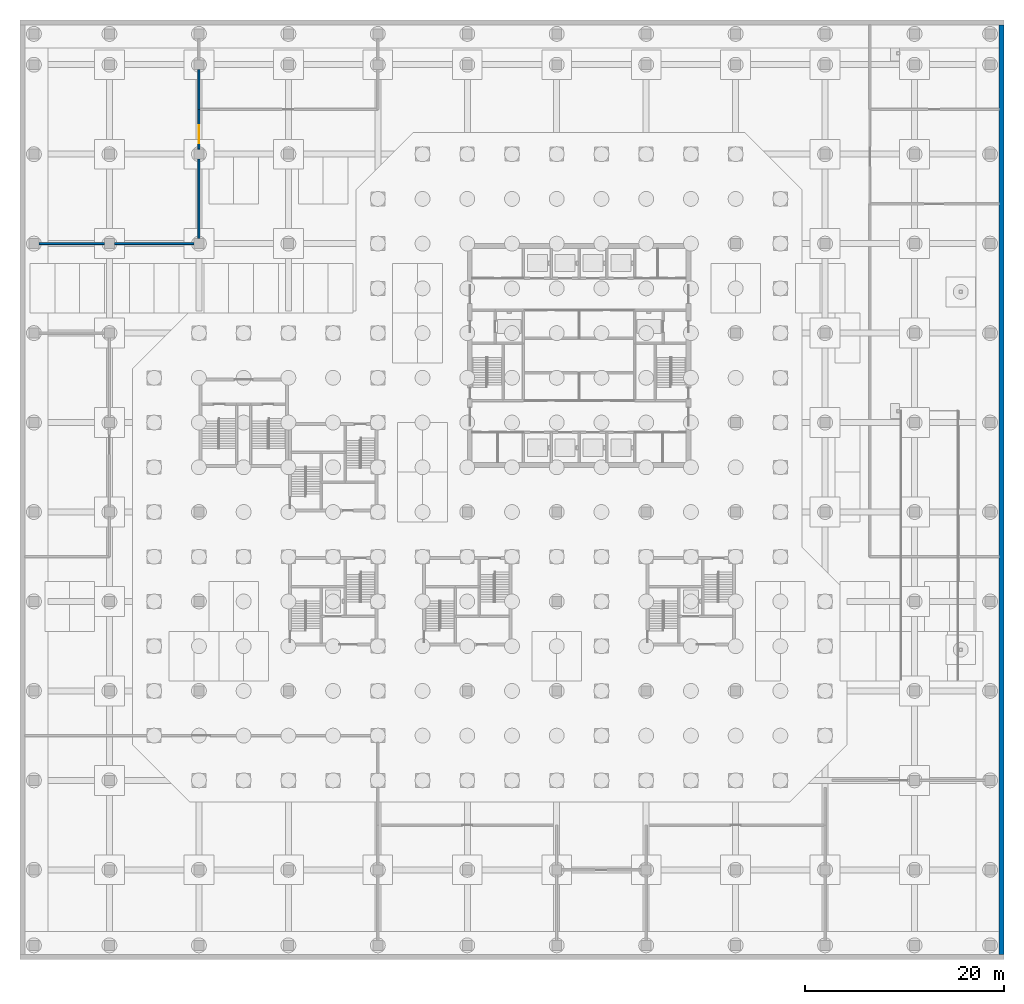
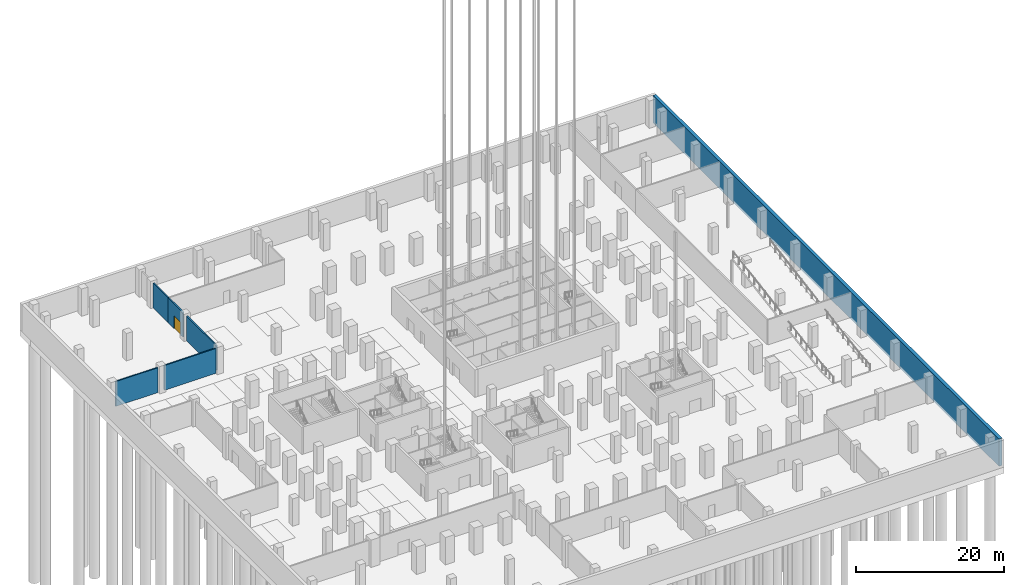
# One storey, part 17 of 37: 6 walls, 1 door, 1 opening.
"""IFC4 building model written with IfcOpenShell, lengths in metres."""

from ifc_helpers import new_model, si_unit, direction, frame, frame_2d, origin, place, context, subcontext, project, spatial, rectangle, extrude, material, layer, layer_set, type_object, element, fill, save


model = new_model("IFC4")

# Units and contexts
model_context = context("Model", 3, precision=1e-05, world=origin(), true_north=direction((0.0, 1.0)))
body_context = subcontext(model_context, "Body", "Model", "MODEL_VIEW")
ifc_project = project(units=[si_unit("LENGTHUNIT", "METRE"), si_unit("AREAUNIT", "SQUARE_METRE"), si_unit("VOLUMEUNIT", "CUBIC_METRE"), si_unit("PLANEANGLEUNIT", "RADIAN"), si_unit("MASSUNIT", "GRAM", prefix="KILO")], contexts=[model_context])

# Site, building, storey
site_placement = place(None, origin())
site = spatial("IfcSite", under=ifc_project, at=site_placement, CompositionType="ELEMENT")
building_placement = place(site_placement, origin())
building = spatial("IfcBuilding", under=site, at=building_placement, Name="Quoin Convention Tower", CompositionType="ELEMENT")
storey_placement = place(building_placement, frame((0.0, 0.0, -9.0)))
storey = spatial("IfcBuildingStorey", under=building, at=storey_placement, Name="B2", CompositionType="ELEMENT", Elevation=-9.0)

# Walls
ifc_material_1 = material(Name="Plasterboard")
ifc_layer_1 = layer(ifc_material_1, 0.012451171875, Name="Finish")
ifc_material_2 = material(Name="Steel stud framing", Category="steel")
ifc_layer_2 = layer(ifc_material_2, 0.175048828125, Name="Structure")
ifc_layer_3 = layer(ifc_material_1, 0.012451171875, Name="Finish")
ifc_layer_set_1 = layer_set([ifc_layer_1, ifc_layer_2, ifc_layer_3], Name="Steel stud framing")
wall_type_1 = type_object("IfcWallType", Name="Plant room wall 200", PredefinedType="PARTITIONING", material=ifc_layer_set_1)
wall_1_placement = place(storey_placement, frame((1.89990234375, 72.0, 0.0), z_axis=(0.0, 0.0, 1.0), x_axis=(1.0, 0.0, 0.0)))
element("IfcWall", 1, at=wall_1_placement, inside=storey, type_object=wall_type_1, Name="pw-B2-026", PredefinedType="PARTITIONING", context=body_context, shape_type="SweptSolid", body=[
    extrude(rectangle(XDim=6.60009765625, YDim=0.199951171875, at=frame_2d((3.300048828125, 0.0))), origin(), (0.0, 0.0, 1.0), 4.10009765625),
])
for number, where, z_axis, x_axis, name in (
    (2, (9.5, 72.0, 0.0), (0.0, 0.0, 1.0), (1.0, 0.0, 0.0), "pw-B2-027"),
    (3, (18.0, 72.5, 0.0), (0.0, 0.0, 1.0), (0.0, 1.0, 0.0), "pw-B2-028"),
):
    element("IfcWall", number, at=place(storey_placement, frame(where, z_axis=z_axis, x_axis=x_axis)), inside=storey, type_object=wall_type_1, Name=name, PredefinedType="PARTITIONING", context=body_context, shape_type="SweptSolid", body=[
        extrude(rectangle(XDim=8.0, YDim=0.199951171875, at=frame_2d((4.0, 0.0))), origin(), (0.0, 0.0, 1.0), 4.10009765625),
    ])

# Wall, opening, door
wall_2_placement = place(storey_placement, frame((18.0, 81.5, 0.0), z_axis=(0.0, 0.0, 1.0), x_axis=(0.0, 1.0, 0.0)))
wall_2 = element("IfcWall", 4, at=wall_2_placement, inside=storey, type_object=wall_type_1, Name="pw-B2-029", PredefinedType="PARTITIONING", context=body_context, shape_type="SweptSolid", body=[
    extrude(rectangle(XDim=4.0, YDim=0.199951171875, at=frame_2d((2.0, 0.0))), origin(), (0.0, 0.0, 1.0), 4.10009765625),
])
opening_placement = place(wall_2_placement, frame((0.60009765625, 0.0, 0.0)))
opening = element("IfcOpeningElement", 5, at=opening_placement, cuts=wall_2, Name="Opening DPDB2-07", PredefinedType="OPENING", context=body_context, shape_type="SweptSolid", body=[
    extrude(rectangle(XDim=1.800048828125, YDim=2.10009765625, at=frame_2d((0.89990234375, 1.050048828125))), frame((0.0, 0.10986328125, 0.0), z_axis=(0.0, -1.0, 0.0), x_axis=(1.0, 0.0, 0.0)), (0.0, 0.0, 1.0), 0.219970703125),
])
ifc_material_3 = material(Name="Steel door leaf", Category="steel")
door_type = type_object("IfcDoorType", Name="Plant door pair 1800", OperationType="DOUBLE_DOOR_SINGLE_SWING", PredefinedType="DOOR", material=ifc_material_3)
door_placement = place(opening_placement, frame((1.800048828125, 0.0, 0.0), z_axis=(0.0, 0.0, 1.0), x_axis=(-1.0, 0.0, 0.0)))
door = element("IfcDoor", 6, at=door_placement, inside=storey, type_object=door_type, Name="dr-B2-006", OperationType="DOUBLE_DOOR_SINGLE_SWING", OverallHeight=2.10009765625, OverallWidth=1.800048828125, PredefinedType="DOOR", context=body_context, shape_type="SweptSolid", body=[
    extrude(rectangle(XDim=1.800048828125, YDim=2.10009765625, at=frame_2d((0.89990234375, 1.050048828125))), frame((0.0, 0.02490234375, 0.0), z_axis=(0.0, -1.0, 0.0), x_axis=(1.0, 0.0, 0.0)), (0.0, 0.0, 1.0), 0.050048828125),
])
fill(opening, door)

# Walls
wall_3_placement = place(storey_placement, frame((18.0, 85.5, 0.0), z_axis=(0.0, 0.0, 1.0), x_axis=(0.0, 1.0, 0.0)))
element("IfcWall", 7, at=wall_3_placement, inside=storey, type_object=wall_type_1, Name="pw-B2-033", PredefinedType="PARTITIONING", context=body_context, shape_type="SweptSolid", body=[
    extrude(rectangle(XDim=4.0, YDim=0.199951171875, at=frame_2d((2.0, 0.0))), origin(), (0.0, 0.0, 1.0), 4.10009765625),
])
ifc_material_4 = material(Name="Concrete C50", Category="concrete")
ifc_layer_4 = layer(ifc_material_4, 0.5)
ifc_layer_set_2 = layer_set([ifc_layer_4], Name="Concrete C50")
wall_type_2 = type_object("IfcWallType", Name="RC RETAINING WALL 500 C50", PredefinedType="SOLIDWALL", material=ifc_layer_set_2)
wall_4_placement = place(storey_placement, frame((98.75, 0.5, -0.39990234375), z_axis=(0.0, 0.0, 1.0), x_axis=(0.0, 1.0, 0.0)))
element("IfcWall", 8, at=wall_4_placement, inside=storey, type_object=wall_type_2, Name="bsm-B2-E", PredefinedType="SOLIDWALL", context=body_context, shape_type="SweptSolid", body=[
    extrude(rectangle(XDim=93.5, YDim=0.5, at=frame_2d((46.75, 0.0))), origin(), (0.0, 0.0, 1.0), 4.5),
])

save(model, "model.ifc")
